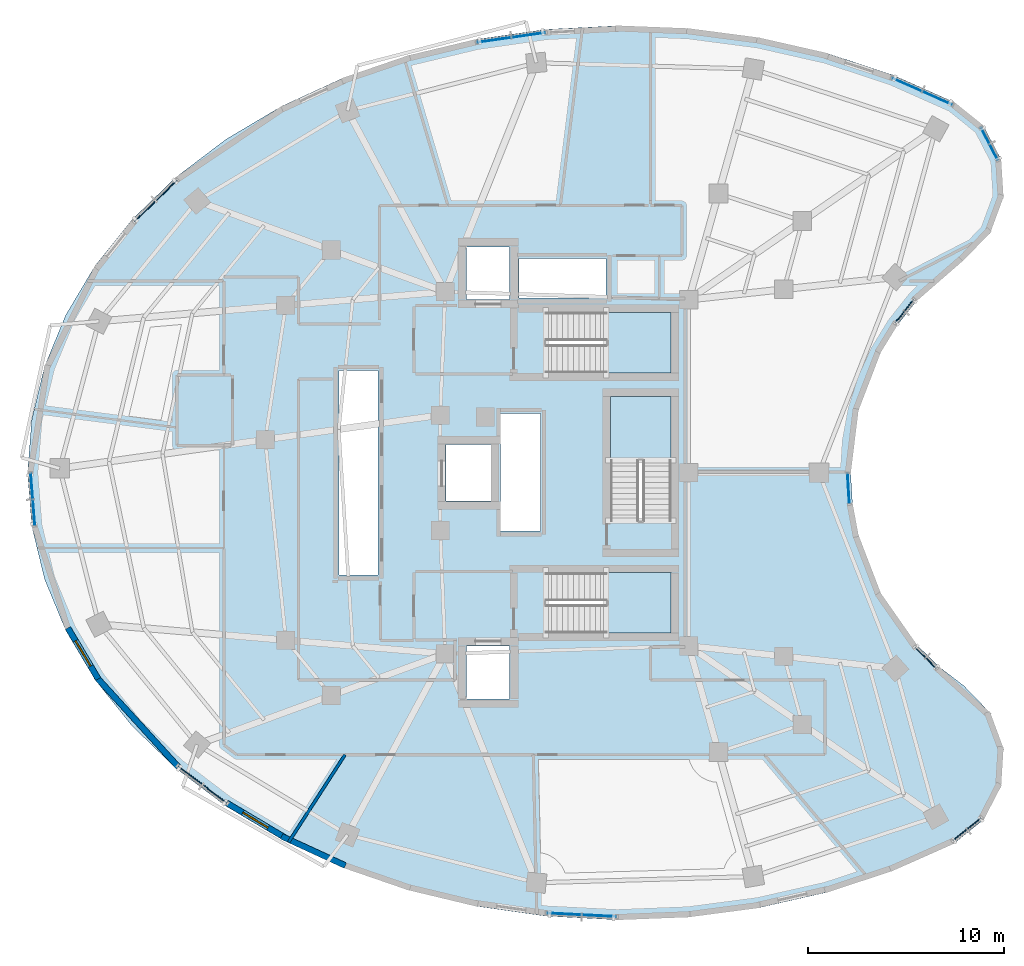
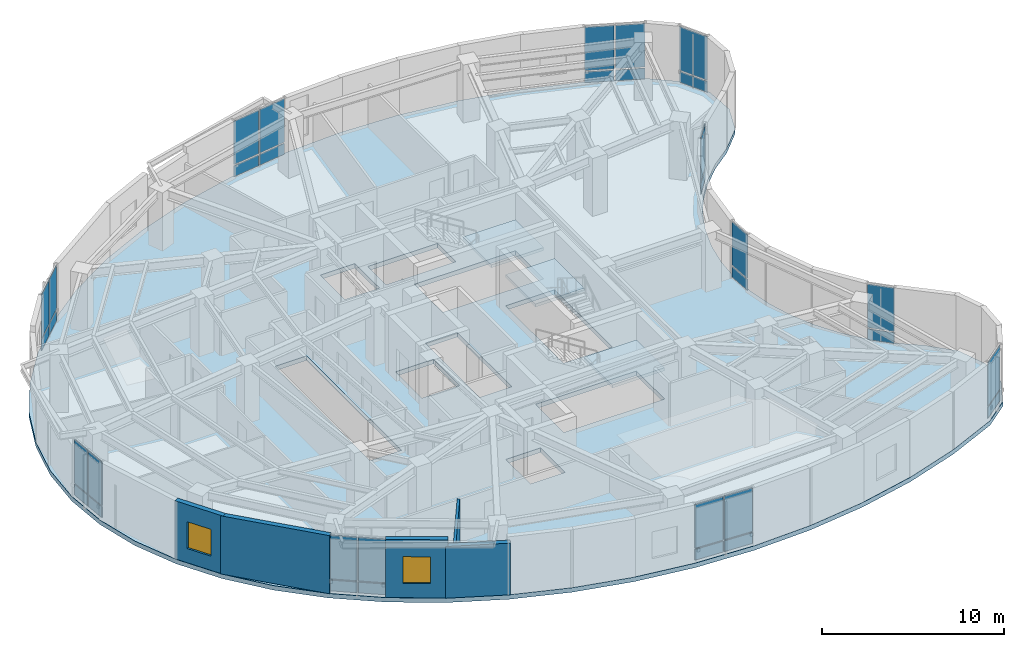
# One storey, part 7 of 15: 34 plates, 5 walls, 4 slabs, 2 windows, 2 openings, 14 elements without a shape of their own.
"""IFC4 building model written with IfcOpenShell, lengths in metres."""

from ifc_helpers import new_model, si_unit, direction, frame, frame_2d, origin, origin_2d, place, context, subcontext, project, spatial, polyline, rectangle, outline, extrude, material, layer, layer_set, type_object, element, fill, aggregate, save


model = new_model("IFC4")

# Units and contexts
model_context = context("Model", 3, precision=1e-05, world=origin(), true_north=direction((0.0, 1.0)))
body_context = subcontext(model_context, "Body", "Model", "MODEL_VIEW")
ifc_project = project(units=[si_unit("LENGTHUNIT", "METRE"), si_unit("AREAUNIT", "SQUARE_METRE"), si_unit("VOLUMEUNIT", "CUBIC_METRE"), si_unit("PLANEANGLEUNIT", "RADIAN"), si_unit("MASSUNIT", "GRAM", prefix="KILO")], contexts=[model_context])

# Site, building, storey
site_placement = place(None, origin())
site = spatial("IfcSite", under=ifc_project, at=site_placement, CompositionType="ELEMENT")
building_placement = place(site_placement, origin())
building = spatial("IfcBuilding", under=site, at=building_placement, Name="Korentha Bioscience Tower", CompositionType="ELEMENT")
storey_placement = place(building_placement, frame((0.0, 0.0, 218.39990234375)))
storey = spatial("IfcBuildingStorey", under=building, at=storey_placement, Name="L50", CompositionType="ELEMENT", Elevation=218.39990234375)

# Curtain wall, plates
ifc_material_1 = material(Name="Thermally Broken Aluminium Frame", Category="aluminium")
ifc_layer_1 = layer(ifc_material_1, 0.219970703125, Name="Thermally Broken Aluminium Frame")
ifc_layer_set_1 = layer_set([ifc_layer_1], Name="Thermally Broken Aluminium Frame (CW-T2)")
curtain_wall_type_1 = type_object("IfcCurtainWallType", Name="Solar-Screened Lab Unitised Curtain Wall CW-T2", PredefinedType="USERDEFINED", material=ifc_layer_set_1)
curtain_wall_1_placement = place(storey_placement, origin())
curtain_wall_1 = element("IfcCurtainWall", 1, at=curtain_wall_1_placement, inside=storey, type_object=curtain_wall_type_1, Name="L50 Curtain Wall 01", ObjectType="UNITISED", PredefinedType="USERDEFINED")
ifc_material_2 = material(Name="Triple-Glazed Low-E Insulated Glass", Category="glass")
ifc_layer_2 = layer(ifc_material_2, 0.0439453125, Name="Triple-Glazed Low-E Insulated Glass")
ifc_layer_set_2 = layer_set([ifc_layer_2], Name="Triple-Glazed Low-E Insulated Glass (GL-44)")
plate_type = type_object("IfcPlateType", Name="Glazed Panel 44mm", PredefinedType="CURTAIN_PANEL", material=ifc_layer_set_2)
plate_1_placement = place(storey_placement, frame((50.25537109375, 46.142822265625, 0.08984375), z_axis=(0.0, 0.0, 1.0), x_axis=(-0.913943941578, 0.405840450983, 0.0)))
plate_1 = element("IfcPlate", 2, at=plate_1_placement, type_object=plate_type, Name="CW-L50-01 Bay 1 Glazed Panel 1", PredefinedType="CURTAIN_PANEL", context=body_context, shape_type="SweptSolid", body=[
    extrude(rectangle(XDim=1.624267578125, YDim=0.0439453125, at=origin_2d()), origin(), (0.0, 0.0, 1.0), 0.715087890625),
])
plate_2_placement = place(storey_placement, frame((50.25537109375, 46.142822265625, 0.89501953125), z_axis=(0.0, 0.0, 1.0), x_axis=(-0.913943941578, 0.405840450983, 0.0)))
plate_2 = element("IfcPlate", 3, at=plate_2_placement, type_object=plate_type, Name="CW-L50-01 Bay 1 Glazed Panel 2", PredefinedType="CURTAIN_PANEL", context=body_context, shape_type="SweptSolid", body=[
    extrude(rectangle(XDim=1.624267578125, YDim=0.0439453125, at=origin_2d()), origin(), (0.0, 0.0, 1.0), 2.9150390625),
])
plate_3_placement = place(storey_placement, frame((48.688720703125, 46.838623046875, 0.08984375), z_axis=(0.0, 0.0, 1.0), x_axis=(-0.913943941578, 0.405840450983, 0.0)))
plate_3 = element("IfcPlate", 4, at=plate_3_placement, type_object=plate_type, Name="CW-L50-01 Bay 2 Glazed Panel 1", PredefinedType="CURTAIN_PANEL", context=body_context, shape_type="SweptSolid", body=[
    extrude(rectangle(XDim=1.624267578125, YDim=0.0439453125, at=origin_2d()), origin(), (0.0, 0.0, 1.0), 0.715087890625),
])
plate_4_placement = place(storey_placement, frame((48.688720703125, 46.838623046875, 0.89501953125), z_axis=(0.0, 0.0, 1.0), x_axis=(-0.913943941578, 0.405840450983, 0.0)))
plate_4 = element("IfcPlate", 5, at=plate_4_placement, type_object=plate_type, Name="CW-L50-01 Bay 2 Glazed Panel 2", PredefinedType="CURTAIN_PANEL", context=body_context, shape_type="SweptSolid", body=[
    extrude(rectangle(XDim=1.624267578125, YDim=0.0439453125, at=origin_2d()), origin(), (0.0, 0.0, 1.0), 2.9150390625),
])
aggregate(curtain_wall_1, [plate_1, plate_2, plate_3, plate_4])

curtain_wall_2_placement = place(storey_placement, origin())
curtain_wall_2 = element("IfcCurtainWall", 6, at=curtain_wall_2_placement, inside=storey, type_object=curtain_wall_type_1, Name="L50 Curtain Wall 07", ObjectType="UNITISED", PredefinedType="USERDEFINED")
plate_5_placement = place(storey_placement, frame((29.373779296875, 49.370849609375, 0.08984375), z_axis=(0.0, 0.0, 1.0), x_axis=(-0.989901889134, -0.141754188259, 0.0)))
plate_5 = element("IfcPlate", 7, at=plate_5_placement, type_object=plate_type, Name="CW-L50-07 Bay 1 Glazed Panel 1", PredefinedType="CURTAIN_PANEL", context=body_context, shape_type="SweptSolid", body=[
    extrude(rectangle(XDim=1.7158203125, YDim=0.0439453125, at=origin_2d()), origin(), (0.0, 0.0, 1.0), 0.715087890625),
])
plate_6_placement = place(storey_placement, frame((29.373779296875, 49.370849609375, 0.89501953125), z_axis=(0.0, 0.0, 1.0), x_axis=(-0.989901889134, -0.141754188259, 0.0)))
plate_6 = element("IfcPlate", 8, at=plate_6_placement, type_object=plate_type, Name="CW-L50-07 Bay 1 Glazed Panel 2", PredefinedType="CURTAIN_PANEL", context=body_context, shape_type="SweptSolid", body=[
    extrude(rectangle(XDim=1.7158203125, YDim=0.0439453125, at=origin_2d()), origin(), (0.0, 0.0, 1.0), 2.9150390625),
])
plate_7_placement = place(storey_placement, frame((27.586181640625, 49.114990234375, 0.08984375), z_axis=(0.0, 0.0, 1.0), x_axis=(-0.989901889134, -0.141754188259, 0.0)))
plate_7 = element("IfcPlate", 9, at=plate_7_placement, type_object=plate_type, Name="CW-L50-07 Bay 2 Glazed Panel 1", PredefinedType="CURTAIN_PANEL", context=body_context, shape_type="SweptSolid", body=[
    extrude(rectangle(XDim=1.7158203125, YDim=0.0439453125, at=origin_2d()), origin(), (0.0, 0.0, 1.0), 0.715087890625),
])
plate_8_placement = place(storey_placement, frame((27.586181640625, 49.114990234375, 0.89501953125), z_axis=(0.0, 0.0, 1.0), x_axis=(-0.989901889134, -0.141754188259, 0.0)))
plate_8 = element("IfcPlate", 10, at=plate_8_placement, type_object=plate_type, Name="CW-L50-07 Bay 2 Glazed Panel 2", PredefinedType="CURTAIN_PANEL", context=body_context, shape_type="SweptSolid", body=[
    extrude(rectangle(XDim=1.7158203125, YDim=0.0439453125, at=origin_2d()), origin(), (0.0, 0.0, 1.0), 2.9150390625),
])
aggregate(curtain_wall_2, [plate_5, plate_6, plate_7, plate_8])

curtain_wall_3_placement = place(storey_placement, origin())
curtain_wall_3 = element("IfcCurtainWall", 11, at=curtain_wall_3_placement, inside=storey, type_object=curtain_wall_type_1, Name="L50 Curtain Wall 13", ObjectType="UNITISED", PredefinedType="USERDEFINED")
plate_9_placement = place(storey_placement, frame((10.87158203125, 41.42919921875, 0.08984375), z_axis=(0.0, 0.0, 1.0), x_axis=(-0.719000359175, -0.695009700297, 0.0)))
plate_9 = element("IfcPlate", 12, at=plate_9_placement, type_object=plate_type, Name="CW-L50-13 Bay 1 Glazed Panel 1", PredefinedType="CURTAIN_PANEL", context=body_context, shape_type="SweptSolid", body=[
    extrude(rectangle(XDim=1.46337890625, YDim=0.0439453125, at=origin_2d()), origin(), (0.0, 0.0, 1.0), 0.715087890625),
])
plate_10_placement = place(storey_placement, frame((10.87158203125, 41.42919921875, 0.89501953125), z_axis=(0.0, 0.0, 1.0), x_axis=(-0.719000359175, -0.695009700297, 0.0)))
plate_10 = element("IfcPlate", 13, at=plate_10_placement, type_object=plate_type, Name="CW-L50-13 Bay 1 Glazed Panel 2", PredefinedType="CURTAIN_PANEL", context=body_context, shape_type="SweptSolid", body=[
    extrude(rectangle(XDim=1.46337890625, YDim=0.0439453125, at=origin_2d()), origin(), (0.0, 0.0, 1.0), 2.9150390625),
])
plate_11_placement = place(storey_placement, frame((9.754638671875, 40.349609375, 0.08984375), z_axis=(0.0, 0.0, 1.0), x_axis=(-0.719000359175, -0.695009700297, 0.0)))
plate_11 = element("IfcPlate", 14, at=plate_11_placement, type_object=plate_type, Name="CW-L50-13 Bay 2 Glazed Panel 1", PredefinedType="CURTAIN_PANEL", context=body_context, shape_type="SweptSolid", body=[
    extrude(rectangle(XDim=1.46337890625, YDim=0.0439453125, at=origin_2d()), origin(), (0.0, 0.0, 1.0), 0.715087890625),
])
plate_12_placement = place(storey_placement, frame((9.754638671875, 40.349609375, 0.89501953125), z_axis=(0.0, 0.0, 1.0), x_axis=(-0.719000359175, -0.695009700297, 0.0)))
plate_12 = element("IfcPlate", 15, at=plate_12_placement, type_object=plate_type, Name="CW-L50-13 Bay 2 Glazed Panel 2", PredefinedType="CURTAIN_PANEL", context=body_context, shape_type="SweptSolid", body=[
    extrude(rectangle(XDim=1.46337890625, YDim=0.0439453125, at=origin_2d()), origin(), (0.0, 0.0, 1.0), 2.9150390625),
])
aggregate(curtain_wall_3, [plate_9, plate_10, plate_11, plate_12])

curtain_wall_4_placement = place(storey_placement, origin())
curtain_wall_4 = element("IfcCurtainWall", 16, at=curtain_wall_4_placement, inside=storey, type_object=curtain_wall_type_1, Name="L50 Curtain Wall 19", ObjectType="UNITISED", PredefinedType="USERDEFINED")
plate_13_placement = place(storey_placement, frame((3.971435546875, 26.3251953125, 0.08984375), z_axis=(0.0, 0.0, 1.0), x_axis=(0.07974803224, -0.996815053736, 0.0)))
plate_13 = element("IfcPlate", 17, at=plate_13_placement, type_object=plate_type, Name="CW-L50-19 Bay 1 Glazed Panel 1", PredefinedType="CURTAIN_PANEL", context=body_context, shape_type="SweptSolid", body=[
    extrude(rectangle(XDim=1.279541015625, YDim=0.0439453125, at=origin_2d()), origin(), (0.0, 0.0, 1.0), 0.715087890625),
])
plate_14_placement = place(storey_placement, frame((3.971435546875, 26.3251953125, 0.89501953125), z_axis=(0.0, 0.0, 1.0), x_axis=(0.07974803224, -0.996815053736, 0.0)))
plate_14 = element("IfcPlate", 18, at=plate_14_placement, type_object=plate_type, Name="CW-L50-19 Bay 1 Glazed Panel 2", PredefinedType="CURTAIN_PANEL", context=body_context, shape_type="SweptSolid", body=[
    extrude(rectangle(XDim=1.279541015625, YDim=0.0439453125, at=origin_2d()), origin(), (0.0, 0.0, 1.0), 2.9150390625),
])
plate_15_placement = place(storey_placement, frame((4.080810546875, 24.960205078125, 0.08984375), z_axis=(0.0, 0.0, 1.0), x_axis=(0.07974803224, -0.996815053736, 0.0)))
plate_15 = element("IfcPlate", 19, at=plate_15_placement, type_object=plate_type, Name="CW-L50-19 Bay 2 Glazed Panel 1", PredefinedType="CURTAIN_PANEL", context=body_context, shape_type="SweptSolid", body=[
    extrude(rectangle(XDim=1.279541015625, YDim=0.0439453125, at=origin_2d()), origin(), (0.0, 0.0, 1.0), 0.715087890625),
])
plate_16_placement = place(storey_placement, frame((4.080810546875, 24.960205078125, 0.89501953125), z_axis=(0.0, 0.0, 1.0), x_axis=(0.07974803224, -0.996815053736, 0.0)))
plate_16 = element("IfcPlate", 20, at=plate_16_placement, type_object=plate_type, Name="CW-L50-19 Bay 2 Glazed Panel 2", PredefinedType="CURTAIN_PANEL", context=body_context, shape_type="SweptSolid", body=[
    extrude(rectangle(XDim=1.279541015625, YDim=0.0439453125, at=origin_2d()), origin(), (0.0, 0.0, 1.0), 2.9150390625),
])
aggregate(curtain_wall_4, [plate_13, plate_14, plate_15, plate_16])

curtain_wall_5_placement = place(storey_placement, origin())
curtain_wall_5 = element("IfcCurtainWall", 21, at=curtain_wall_5_placement, inside=storey, type_object=curtain_wall_type_1, Name="L50 Curtain Wall 25", ObjectType="UNITISED", PredefinedType="USERDEFINED")
plate_17_placement = place(storey_placement, frame((12.063720703125, 11.55126953125, 0.08984375), z_axis=(0.0, 0.0, 1.0), x_axis=(0.796889131105, -0.604125576951, 0.0)))
plate_17 = element("IfcPlate", 22, at=plate_17_placement, type_object=plate_type, Name="CW-L50-25 Bay 1 Glazed Panel 1", PredefinedType="CURTAIN_PANEL", context=body_context, shape_type="SweptSolid", body=[
    extrude(rectangle(XDim=1.517822265625, YDim=0.0439453125, at=origin_2d()), origin(), (0.0, 0.0, 1.0), 0.715087890625),
])
plate_18_placement = place(storey_placement, frame((12.063720703125, 11.55126953125, 0.89501953125), z_axis=(0.0, 0.0, 1.0), x_axis=(0.796889131105, -0.604125576951, 0.0)))
plate_18 = element("IfcPlate", 23, at=plate_18_placement, type_object=plate_type, Name="CW-L50-25 Bay 1 Glazed Panel 2", PredefinedType="CURTAIN_PANEL", context=body_context, shape_type="SweptSolid", body=[
    extrude(rectangle(XDim=1.517822265625, YDim=0.0439453125, at=origin_2d()), origin(), (0.0, 0.0, 1.0), 2.9150390625),
])
plate_19_placement = place(storey_placement, frame((13.344970703125, 10.579833984375, 0.08984375), z_axis=(0.0, 0.0, 1.0), x_axis=(0.796889131105, -0.604125576951, 0.0)))
plate_19 = element("IfcPlate", 24, at=plate_19_placement, type_object=plate_type, Name="CW-L50-25 Bay 2 Glazed Panel 1", PredefinedType="CURTAIN_PANEL", context=body_context, shape_type="SweptSolid", body=[
    extrude(rectangle(XDim=1.517822265625, YDim=0.0439453125, at=origin_2d()), origin(), (0.0, 0.0, 1.0), 0.715087890625),
])
plate_20_placement = place(storey_placement, frame((13.344970703125, 10.579833984375, 0.89501953125), z_axis=(0.0, 0.0, 1.0), x_axis=(0.796889131105, -0.604125576951, 0.0)))
plate_20 = element("IfcPlate", 25, at=plate_20_placement, type_object=plate_type, Name="CW-L50-25 Bay 2 Glazed Panel 2", PredefinedType="CURTAIN_PANEL", context=body_context, shape_type="SweptSolid", body=[
    extrude(rectangle(XDim=1.517822265625, YDim=0.0439453125, at=origin_2d()), origin(), (0.0, 0.0, 1.0), 2.9150390625),
])
aggregate(curtain_wall_5, [plate_17, plate_18, plate_19, plate_20])

curtain_wall_6_placement = place(storey_placement, origin())
curtain_wall_6 = element("IfcCurtainWall", 26, at=curtain_wall_6_placement, inside=storey, type_object=curtain_wall_type_1, Name="L50 Curtain Wall 31", ObjectType="UNITISED", PredefinedType="USERDEFINED")
plate_21_placement = place(storey_placement, frame((31.170654296875, 4.455078125, 0.08984375), z_axis=(0.0, 0.0, 1.0), x_axis=(0.998695818107, -0.051055488397, 0.0)))
plate_21 = element("IfcPlate", 27, at=plate_21_placement, type_object=plate_type, Name="CW-L50-31 Bay 1 Glazed Panel 1", PredefinedType="CURTAIN_PANEL", context=body_context, shape_type="SweptSolid", body=[
    extrude(rectangle(XDim=1.727783203125, YDim=0.0439453125, at=origin_2d()), origin(), (0.0, 0.0, 1.0), 0.715087890625),
])
plate_22_placement = place(storey_placement, frame((31.170654296875, 4.455078125, 0.89501953125), z_axis=(0.0, 0.0, 1.0), x_axis=(0.998695818107, -0.051055488397, 0.0)))
plate_22 = element("IfcPlate", 28, at=plate_22_placement, type_object=plate_type, Name="CW-L50-31 Bay 1 Glazed Panel 2", PredefinedType="CURTAIN_PANEL", context=body_context, shape_type="SweptSolid", body=[
    extrude(rectangle(XDim=1.727783203125, YDim=0.0439453125, at=origin_2d()), origin(), (0.0, 0.0, 1.0), 2.9150390625),
])
plate_23_placement = place(storey_placement, frame((32.98583984375, 4.3623046875, 0.08984375), z_axis=(0.0, 0.0, 1.0), x_axis=(0.998695818107, -0.051055488397, 0.0)))
plate_23 = element("IfcPlate", 29, at=plate_23_placement, type_object=plate_type, Name="CW-L50-31 Bay 2 Glazed Panel 1", PredefinedType="CURTAIN_PANEL", context=body_context, shape_type="SweptSolid", body=[
    extrude(rectangle(XDim=1.727783203125, YDim=0.0439453125, at=origin_2d()), origin(), (0.0, 0.0, 1.0), 0.715087890625),
])
plate_24_placement = place(storey_placement, frame((32.98583984375, 4.3623046875, 0.89501953125), z_axis=(0.0, 0.0, 1.0), x_axis=(0.998695818107, -0.051055488397, 0.0)))
plate_24 = element("IfcPlate", 30, at=plate_24_placement, type_object=plate_type, Name="CW-L50-31 Bay 2 Glazed Panel 2", PredefinedType="CURTAIN_PANEL", context=body_context, shape_type="SweptSolid", body=[
    extrude(rectangle(XDim=1.727783203125, YDim=0.0439453125, at=origin_2d()), origin(), (0.0, 0.0, 1.0), 2.9150390625),
])
aggregate(curtain_wall_6, [plate_21, plate_22, plate_23, plate_24])

curtain_wall_7_placement = place(storey_placement, origin())
curtain_wall_7 = element("IfcCurtainWall", 31, at=curtain_wall_7_placement, inside=storey, type_object=curtain_wall_type_1, Name="L50 Curtain Wall 37", ObjectType="UNITISED", PredefinedType="USERDEFINED")
plate_25_placement = place(storey_placement, frame((51.76025390625, 8.790771484375, 0.08984375), z_axis=(0.0, 0.0, 1.0), x_axis=(0.779197616162, 0.626778330008, 0.0)))
plate_25 = element("IfcPlate", 32, at=plate_25_placement, type_object=plate_type, Name="CW-L50-37 Bay 1 Glazed Panel 1", PredefinedType="CURTAIN_PANEL", context=body_context, shape_type="SweptSolid", body=[
    extrude(rectangle(XDim=1.83154296875, YDim=0.0439453125, at=origin_2d()), origin(), (0.0, 0.0, 1.0), 0.715087890625),
])
plate_26_placement = place(storey_placement, frame((51.76025390625, 8.790771484375, 0.89501953125), z_axis=(0.0, 0.0, 1.0), x_axis=(0.779197616162, 0.626778330008, 0.0)))
plate_26 = element("IfcPlate", 33, at=plate_26_placement, type_object=plate_type, Name="CW-L50-37 Bay 1 Glazed Panel 2", PredefinedType="CURTAIN_PANEL", context=body_context, shape_type="SweptSolid", body=[
    extrude(rectangle(XDim=1.83154296875, YDim=0.0439453125, at=origin_2d()), origin(), (0.0, 0.0, 1.0), 2.9150390625),
])
aggregate(curtain_wall_7, [plate_25, plate_26])

curtain_wall_8_placement = place(storey_placement, origin())
curtain_wall_8 = element("IfcCurtainWall", 34, at=curtain_wall_8_placement, inside=storey, type_object=curtain_wall_type_1, Name="L50 Curtain Wall 43", ObjectType="UNITISED", PredefinedType="USERDEFINED")
plate_27_placement = place(storey_placement, frame((49.651611328125, 17.537109375, 0.08984375), z_axis=(0.0, 0.0, 1.0), x_axis=(-0.713258270268, 0.700901305388, 0.0)))
plate_27 = element("IfcPlate", 35, at=plate_27_placement, type_object=plate_type, Name="CW-L50-43 Bay 1 Glazed Panel 1", PredefinedType="CURTAIN_PANEL", context=body_context, shape_type="SweptSolid", body=[
    extrude(rectangle(XDim=1.50341796875, YDim=0.0439453125, at=origin_2d()), origin(), (0.0, 0.0, 1.0), 0.715087890625),
])
plate_28_placement = place(storey_placement, frame((49.651611328125, 17.537109375, 0.89501953125), z_axis=(0.0, 0.0, 1.0), x_axis=(-0.713258270268, 0.700901305388, 0.0)))
plate_28 = element("IfcPlate", 36, at=plate_28_placement, type_object=plate_type, Name="CW-L50-43 Bay 1 Glazed Panel 2", PredefinedType="CURTAIN_PANEL", context=body_context, shape_type="SweptSolid", body=[
    extrude(rectangle(XDim=1.50341796875, YDim=0.0439453125, at=origin_2d()), origin(), (0.0, 0.0, 1.0), 2.9150390625),
])
aggregate(curtain_wall_8, [plate_27, plate_28])

ifc_layer_3 = layer(ifc_material_1, 0.219970703125, Name="Thermally Broken Aluminium Frame")
ifc_layer_set_3 = layer_set([ifc_layer_3], Name="Thermally Broken Aluminium Frame (CW-T1)")
curtain_wall_type_2 = type_object("IfcCurtainWallType", Name="Standard Bioscience Lab Unitised Curtain Wall CW-T1", PredefinedType="USERDEFINED", material=ifc_layer_set_3)
curtain_wall_9_placement = place(storey_placement, origin())
curtain_wall_9 = element("IfcCurtainWall", 37, at=curtain_wall_9_placement, inside=storey, type_object=curtain_wall_type_2, Name="L50 Curtain Wall 49", ObjectType="UNITISED", PredefinedType="USERDEFINED")
plate_29_placement = place(storey_placement, frame((45.708251953125, 26.190185546875, 0.08984375), z_axis=(0.0, 0.0, 1.0), x_axis=(-0.06095424178, 0.998140561449, 0.0)))
plate_29 = element("IfcPlate", 38, at=plate_29_placement, type_object=plate_type, Name="CW-L50-49 Bay 1 Glazed Panel 1", PredefinedType="CURTAIN_PANEL", context=body_context, shape_type="SweptSolid", body=[
    extrude(rectangle(XDim=1.503173828125, YDim=0.0439453125, at=origin_2d()), origin(), (0.0, 0.0, 1.0), 0.715087890625),
])
plate_30_placement = place(storey_placement, frame((45.708251953125, 26.190185546875, 0.89501953125), z_axis=(0.0, 0.0, 1.0), x_axis=(-0.06095424178, 0.998140561449, 0.0)))
plate_30 = element("IfcPlate", 39, at=plate_30_placement, type_object=plate_type, Name="CW-L50-49 Bay 1 Glazed Panel 2", PredefinedType="CURTAIN_PANEL", context=body_context, shape_type="SweptSolid", body=[
    extrude(rectangle(XDim=1.503173828125, YDim=0.0439453125, at=origin_2d()), origin(), (0.0, 0.0, 1.0), 2.9150390625),
])
aggregate(curtain_wall_9, [plate_29, plate_30])

curtain_wall_10_placement = place(storey_placement, origin())
curtain_wall_10 = element("IfcCurtainWall", 40, at=curtain_wall_10_placement, inside=storey, type_object=curtain_wall_type_1, Name="L50 Curtain Wall 55", ObjectType="UNITISED", PredefinedType="USERDEFINED")
plate_31_placement = place(storey_placement, frame((48.567626953125, 35.259033203125, 0.08984375), z_axis=(0.0, 0.0, 1.0), x_axis=(0.622511989066, 0.782610262819, 0.0)))
plate_31 = element("IfcPlate", 41, at=plate_31_placement, type_object=plate_type, Name="CW-L50-55 Bay 1 Glazed Panel 1", PredefinedType="CURTAIN_PANEL", context=body_context, shape_type="SweptSolid", body=[
    extrude(rectangle(XDim=1.50341796875, YDim=0.0439453125, at=origin_2d()), origin(), (0.0, 0.0, 1.0), 0.715087890625),
])
plate_32_placement = place(storey_placement, frame((48.567626953125, 35.259033203125, 0.89501953125), z_axis=(0.0, 0.0, 1.0), x_axis=(0.622511989066, 0.782610262819, 0.0)))
plate_32 = element("IfcPlate", 42, at=plate_32_placement, type_object=plate_type, Name="CW-L50-55 Bay 1 Glazed Panel 2", PredefinedType="CURTAIN_PANEL", context=body_context, shape_type="SweptSolid", body=[
    extrude(rectangle(XDim=1.50341796875, YDim=0.0439453125, at=origin_2d()), origin(), (0.0, 0.0, 1.0), 2.9150390625),
])
aggregate(curtain_wall_10, [plate_31, plate_32])

curtain_wall_11_placement = place(storey_placement, origin())
curtain_wall_11 = element("IfcCurtainWall", 43, at=curtain_wall_11_placement, inside=storey, type_object=curtain_wall_type_1, Name="L50 Curtain Wall 61", ObjectType="UNITISED", PredefinedType="USERDEFINED")
plate_33_placement = place(storey_placement, frame((52.914794921875, 43.79736328125, 0.08984375), z_axis=(0.0, 0.0, 1.0), x_axis=(-0.459738031963, 0.888054582763, 0.0)))
plate_33 = element("IfcPlate", 44, at=plate_33_placement, type_object=plate_type, Name="CW-L50-61 Bay 1 Glazed Panel 1", PredefinedType="CURTAIN_PANEL", context=body_context, shape_type="SweptSolid", body=[
    extrude(rectangle(XDim=1.831298828125, YDim=0.0439453125, at=origin_2d()), origin(), (0.0, 0.0, 1.0), 0.715087890625),
])
plate_34_placement = place(storey_placement, frame((52.914794921875, 43.79736328125, 0.89501953125), z_axis=(0.0, 0.0, 1.0), x_axis=(-0.459738031963, 0.888054582763, 0.0)))
plate_34 = element("IfcPlate", 45, at=plate_34_placement, type_object=plate_type, Name="CW-L50-61 Bay 1 Glazed Panel 2", PredefinedType="CURTAIN_PANEL", context=body_context, shape_type="SweptSolid", body=[
    extrude(rectangle(XDim=1.831298828125, YDim=0.0439453125, at=origin_2d()), origin(), (0.0, 0.0, 1.0), 2.9150390625),
])
aggregate(curtain_wall_11, [plate_33, plate_34])

# Slab
ifc_material_3 = material(Name="Concrete C50", Category="concrete")
ifc_layer_4 = layer(ifc_material_3, 0.300048828125, Name="Concrete C50")
ifc_layer_set_4 = layer_set([ifc_layer_4], Name="Concrete C50 (SL-L300)")
slab_type_1 = type_object("IfcSlabType", Name="Laboratory Vibration-Controlled Slab 300", PredefinedType="FLOOR", material=ifc_layer_set_4)
slab_1_placement = place(storey_placement, frame((0.0, 0.0, -0.2998046875)))
element("IfcSlab", 46, at=slab_1_placement, inside=storey, type_object=slab_type_1, Name="L50 Tower Structural Floor Slab", PredefinedType="FLOOR", context=body_context, shape_type="SweptSolid", body=[
    extrude(outline(polyline([(51.108154296875, 45.939208984375), (47.9658203125, 47.334716796875), (44.623291015625, 48.4365234375), (41.129638671875, 49.22900390625), (37.53466796875, 49.700439453125), (33.890380859375, 49.843994140625), (30.249755859375, 49.657958984375), (26.664794921875, 49.14453125), (23.187744140625, 48.3115234375), (19.86865234375, 47.1708984375), (16.75537109375, 45.73876953125), (13.892822265625, 44.0361328125), (11.322509765625, 42.087646484375), (9.081298828125, 39.921142578125), (7.201904296875, 37.568115234375), (5.711181640625, 35.0625), (4.630859375, 32.440673828125), (3.976318359375, 29.739990234375), (3.757080078125, 27.0), (3.976318359375, 24.260009765625), (4.630859375, 21.559326171875), (5.711181640625, 18.9375), (7.201904296875, 16.431884765625), (9.081298828125, 14.078857421875), (11.322509765625, 11.912353515625), (13.892822265625, 9.9638671875), (16.75537109375, 8.26123046875), (19.86865234375, 6.8291015625), (23.187744140625, 5.6884765625), (26.664794921875, 4.85546875), (30.249755859375, 4.342041015625), (33.890380859375, 4.156005859375), (37.53466796875, 4.299560546875), (41.129638671875, 4.77099609375), (44.623291015625, 5.5634765625), (47.9658203125, 6.665283203125), (51.108154296875, 8.060791015625), (52.613037109375, 9.271484375), (53.5009765625, 10.986572265625), (53.62060546875, 12.914306640625), (52.951416015625, 14.72607421875), (51.607421875, 16.11328125), (50.33544921875, 17.08935546875), (49.19189453125, 18.213134765625), (48.19384765625, 19.468017578125), (47.35595703125, 20.8349609375), (46.691162109375, 22.2939453125), (46.208984375, 23.8232421875), (45.916748046875, 25.399658203125), (45.819091796875, 27.0), (45.916748046875, 28.600341796875), (46.208984375, 30.1767578125), (46.691162109375, 31.7060546875), (47.35595703125, 33.1650390625), (48.19384765625, 34.531982421875), (49.19189453125, 35.786865234375), (50.33544921875, 36.91064453125), (51.607421875, 37.88671875), (52.951416015625, 39.27392578125), (53.62060546875, 41.085693359375), (53.5009765625, 43.013427734375), (52.613037109375, 44.728515625), (51.108154296875, 45.939208984375)]), holes=[polyline([(30.25, 32.10009765625), (36.64990234375, 32.10009765625), (36.64990234375, 35.199951171875), (30.25, 35.199951171875), (30.25, 32.10009765625)]), polyline([(30.25, 18.800048828125), (36.64990234375, 18.800048828125), (36.64990234375, 21.89990234375), (30.25, 21.89990234375), (30.25, 18.800048828125)]), polyline([(36.64990234375, 24.550048828125), (36.64990234375, 30.89990234375), (33.550048828125, 30.89990234375), (33.550048828125, 24.550048828125), (36.64990234375, 24.550048828125)]), polyline([(19.679931640625, 21.780029296875), (21.669921875, 21.780029296875), (21.669921875, 32.219970703125), (19.679931640625, 32.219970703125), (19.679931640625, 21.780029296875)]), polyline([(27.929931640625, 24.030029296875), (29.969970703125, 24.030029296875), (29.969970703125, 30.02001953125), (27.929931640625, 30.02001953125), (27.929931640625, 24.030029296875)]), polyline([(28.860107421875, 35.93994140625), (33.31005859375, 35.93994140625), (33.31005859375, 37.9599609375), (28.860107421875, 37.9599609375), (28.860107421875, 35.93994140625)]), polyline([(26.199951171875, 15.449951171875), (28.39990234375, 15.449951171875), (28.39990234375, 18.14990234375), (26.199951171875, 18.14990234375), (26.199951171875, 15.449951171875)]), polyline([(26.199951171875, 35.85009765625), (28.39990234375, 35.85009765625), (28.39990234375, 38.550048828125), (26.199951171875, 38.550048828125), (26.199951171875, 35.85009765625)]), polyline([(25.14990234375, 25.550048828125), (27.550048828125, 25.550048828125), (27.550048828125, 28.449951171875), (25.14990234375, 28.449951171875), (25.14990234375, 25.550048828125)])]), origin(), (0.0, 0.0, 1.0), 0.2998046875),
])

# Stair, slab
ifc_material_4 = material(Name="Precast Concrete C50", Category="concrete")
stair_type = type_object("IfcStairType", Name="Core Exit Dog-Leg Stair 1450", PredefinedType="HALF_TURN_STAIR", material=ifc_material_4)
stair_1_placement = place(storey_placement, origin())
stair_1 = element("IfcStair", 47, at=stair_1_placement, inside=storey, type_object=stair_type, Name="L50 Tower North Pressurized Exit Stair ST-1", PredefinedType="HALF_TURN_STAIR")
ifc_layer_5 = layer(ifc_material_3, 0.199951171875, Name="Concrete C50")
ifc_layer_set_5 = layer_set([ifc_layer_5], Name="Concrete C50 (SL-LND)")
slab_type_2 = type_object("IfcSlabType", Name="Landing Slab 200", PredefinedType="LANDING", material=ifc_layer_set_5)
slab_2_placement = place(storey_placement, frame((0.0, 0.0, 1.900146484375)))
slab_2 = element("IfcSlab", 48, at=slab_2_placement, type_object=slab_type_2, Name="ST-1 landing 1", PredefinedType="LANDING", context=body_context, shape_type="SweptSolid", body=[
    extrude(outline(polyline([(33.330078125, 32.10009765625), (36.64990234375, 32.10009765625), (36.64990234375, 35.199951171875), (33.330078125, 35.199951171875), (33.330078125, 32.10009765625)])), origin(), (0.0, 0.0, 1.0), 0.199951171875),
])
aggregate(stair_1, [slab_2])

stair_2_placement = place(storey_placement, origin())
stair_2 = element("IfcStair", 49, at=stair_2_placement, inside=storey, type_object=stair_type, Name="L50 Tower South Pressurized Exit Stair ST-2", PredefinedType="HALF_TURN_STAIR")
slab_3_placement = place(storey_placement, frame((0.0, 0.0, 1.900146484375)))
slab_3 = element("IfcSlab", 50, at=slab_3_placement, type_object=slab_type_2, Name="ST-2 landing 1", PredefinedType="LANDING", context=body_context, shape_type="SweptSolid", body=[
    extrude(outline(polyline([(33.330078125, 18.800048828125), (36.64990234375, 18.800048828125), (36.64990234375, 21.89990234375), (33.330078125, 21.89990234375), (33.330078125, 18.800048828125)])), origin(), (0.0, 0.0, 1.0), 0.199951171875),
])
aggregate(stair_2, [slab_3])

stair_3_placement = place(storey_placement, origin())
stair_3 = element("IfcStair", 51, at=stair_3_placement, inside=storey, type_object=stair_type, Name="L50 Tower Central Pressurized Exit Stair ST-3", PredefinedType="HALF_TURN_STAIR")
slab_4_placement = place(storey_placement, frame((0.0, 0.0, 1.900146484375)))
slab_4 = element("IfcSlab", 52, at=slab_4_placement, type_object=slab_type_2, Name="ST-3 landing 1", PredefinedType="LANDING", context=body_context, shape_type="SweptSolid", body=[
    extrude(outline(polyline([(36.64990234375, 27.6298828125), (36.64990234375, 30.89990234375), (33.550048828125, 30.89990234375), (33.550048828125, 27.6298828125), (36.64990234375, 27.6298828125)])), origin(), (0.0, 0.0, 1.0), 0.199951171875),
])
aggregate(stair_3, [slab_4])

# Wall
ifc_material_5 = material(Name="Double-Stud Acoustic Gypsum", Category="gypsum")
ifc_layer_6 = layer(ifc_material_5, 0.14990234375, Name="Double-Stud Acoustic Gypsum")
ifc_layer_set_6 = layer_set([ifc_layer_6], Name="Double-Stud Acoustic Gypsum (IW-L150)")
wall_type_1 = type_object("IfcWallType", Name="Acoustic Laboratory Partition Wall 150", PredefinedType="PARTITIONING", material=ifc_layer_set_6)
wall_1_placement = place(storey_placement, frame((19.98095703125, 12.590087890625, 0.0), z_axis=(0.0, 0.0, 1.0), x_axis=(-0.542120587928, -0.840300701026, 0.0)))
element("IfcWall", 53, at=wall_1_placement, inside=storey, type_object=wall_type_1, Name="L50 Interior Partition 031", PredefinedType="PARTITIONING", context=body_context, shape_type="SweptSolid", body=[
    extrude(rectangle(XDim=5.311279296875, YDim=0.14990234375, at=frame_2d((2.65576171875, 0.0))), origin(), (0.0, 0.0, 1.0), 2.91015625),
])

# Wall, opening, window
ifc_material_6 = material(Name="Honed Limestone Precast Concrete C40", Category="masonry")
ifc_layer_7 = layer(ifc_material_6, 0.300048828125, Name="Honed Limestone Precast Concrete C40")
ifc_layer_set_7 = layer_set([ifc_layer_7], Name="Honed Limestone Precast Concrete C40 (EW-ST300)")
wall_type_2 = type_object("IfcWallType", Name="Honed Limestone Cavity Spandrel Wall 300", PredefinedType="STANDARD", material=ifc_layer_set_7)
wall_2_placement = place(storey_placement, frame((5.818115234375, 19.07080078125, 0.0), z_axis=(0.0, 0.0, 1.0), x_axis=(0.511263271049, -0.859424148879, 0.0)))
wall_2 = element("IfcWall", 54, at=wall_2_placement, inside=storey, type_object=wall_type_2, Name="L50 Honed Limestone Spandrel Wall 22", PredefinedType="STANDARD", context=body_context, shape_type="SweptSolid", body=[
    extrude(rectangle(XDim=3.03564453125, YDim=0.300048828125, at=frame_2d((1.517822265625, 0.0))), origin(), (0.0, 0.0, 1.0), 3.900146484375),
])
opening_1_placement = place(wall_2_placement, frame((0.767822265625, 0.0, 0.949951171875)))
opening_1 = element("IfcOpeningElement", 55, at=opening_1_placement, cuts=wall_2, Name="Opening WN-02", PredefinedType="OPENING", context=body_context, shape_type="SweptSolid", body=[
    extrude(rectangle(XDim=1.5, YDim=1.800048828125, at=frame_2d((0.75, 0.89990234375))), frame((0.0, 0.1650390625, 0.0), z_axis=(0.0, -1.0, 0.0), x_axis=(1.0, 0.0, 0.0)), (0.0, 0.0, 1.0), 0.329833984375),
])
ifc_material_7 = material(Name="Thermally Broken Aluminium Triple Glazing", Category="aluminium")
window_type = type_object("IfcWindowType", Name="Acoustic Operable Office Window 1500x1800", PartitioningType="DOUBLE_PANEL_VERTICAL", PredefinedType="WINDOW", material=ifc_material_7)
window_1_placement = place(opening_1_placement, origin())
window_1 = element("IfcWindow", 56, at=window_1_placement, inside=storey, type_object=window_type, Name="L50 Facade Window 22", OverallHeight=1.800048828125, OverallWidth=1.5, PartitioningType="DOUBLE_PANEL_VERTICAL", PredefinedType="WINDOW", context=body_context, shape_type="SweptSolid", body=[
    extrude(rectangle(XDim=1.5, YDim=1.800048828125, at=frame_2d((0.75, 0.89990234375))), frame((0.0, 0.030029296875, 0.0), z_axis=(0.0, -1.0, 0.0), x_axis=(1.0, 0.0, 0.0)), (0.0, 0.0, 1.0), 0.06005859375),
])
fill(opening_1, window_1)

wall_3_placement = place(storey_placement, frame((13.923095703125, 10.132080078125, 0.0), z_axis=(0.0, 0.0, 1.0), x_axis=(0.859459434124, -0.511203952543, 0.0)))
wall_3 = element("IfcWall", 57, at=wall_3_placement, inside=storey, type_object=wall_type_2, Name="L50 Honed Limestone Spandrel Wall 26", PredefinedType="STANDARD", context=body_context, shape_type="SweptSolid", body=[
    extrude(rectangle(XDim=3.450439453125, YDim=0.300048828125, at=frame_2d((1.72509765625, 0.0))), origin(), (0.0, 0.0, 1.0), 3.900146484375),
])
opening_2_placement = place(wall_3_placement, frame((0.97509765625, 0.0, 0.949951171875)))
opening_2 = element("IfcOpeningElement", 58, at=opening_2_placement, cuts=wall_3, Name="Opening WN-02", PredefinedType="OPENING", context=body_context, shape_type="SweptSolid", body=[
    extrude(rectangle(XDim=1.5, YDim=1.800048828125, at=frame_2d((0.75, 0.89990234375))), frame((0.0, 0.1650390625, 0.0), z_axis=(0.0, -1.0, 0.0), x_axis=(1.0, 0.0, 0.0)), (0.0, 0.0, 1.0), 0.329833984375),
])
window_2_placement = place(opening_2_placement, origin())
window_2 = element("IfcWindow", 59, at=window_2_placement, inside=storey, type_object=window_type, Name="L50 Facade Window 26", OverallHeight=1.800048828125, OverallWidth=1.5, PartitioningType="DOUBLE_PANEL_VERTICAL", PredefinedType="WINDOW", context=body_context, shape_type="SweptSolid", body=[
    extrude(rectangle(XDim=1.5, YDim=1.800048828125, at=frame_2d((0.75, 0.89990234375))), frame((0.0, 0.030029296875, 0.0), z_axis=(0.0, -1.0, 0.0), x_axis=(1.0, 0.0, 0.0)), (0.0, 0.0, 1.0), 0.06005859375),
])
fill(opening_2, window_2)

# Walls
wall_4_placement = place(storey_placement, frame((7.251708984375, 16.585205078125, 0.0), z_axis=(0.0, 0.0, 1.0), x_axis=(0.673735114185, -0.73897293314, 0.0)))
element("IfcWall", 60, at=wall_4_placement, inside=storey, type_object=wall_type_2, Name="L50 Limestone Perimeter Closure Wall 23", PredefinedType="STANDARD", context=body_context, shape_type="SweptSolid", body=[
    extrude(rectangle(XDim=6.27587890625, YDim=0.300048828125, at=frame_2d((3.137939453125, 0.0))), origin(), (0.0, 0.0, 1.0), 3.900146484375),
])
wall_5_placement = place(storey_placement, frame((16.7412109375, 8.421875, 0.0), z_axis=(0.0, 0.0, 1.0), x_axis=(0.908506474671, -0.417870776055, 0.0)))
element("IfcWall", 61, at=wall_5_placement, inside=storey, type_object=wall_type_2, Name="L50 Limestone Perimeter Closure Wall 27", PredefinedType="STANDARD", context=body_context, shape_type="SweptSolid", body=[
    extrude(rectangle(XDim=3.586669921875, YDim=0.300048828125, at=frame_2d((1.79345703125, 0.0))), origin(), (0.0, 0.0, 1.0), 3.47021484375),
])

save(model, "model.ifc")
